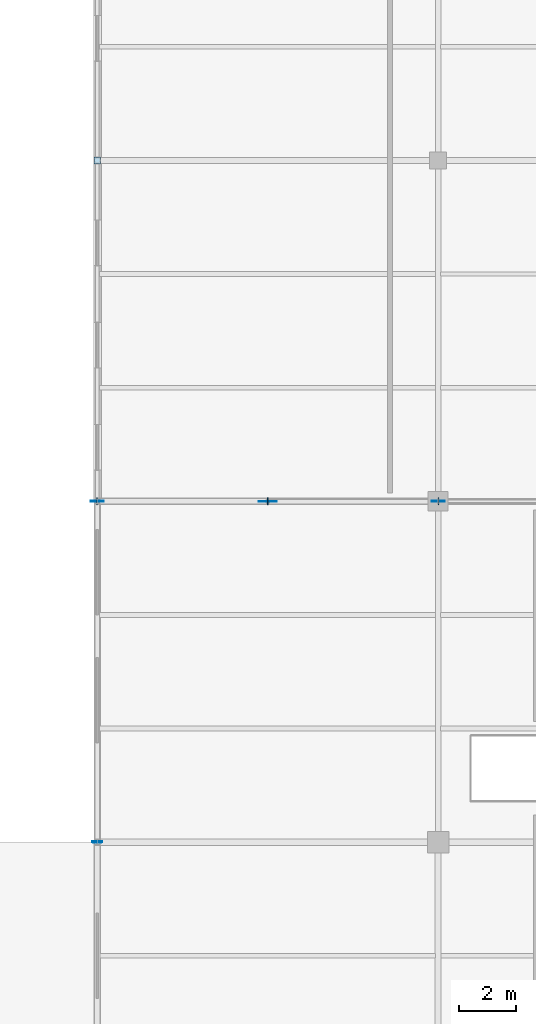
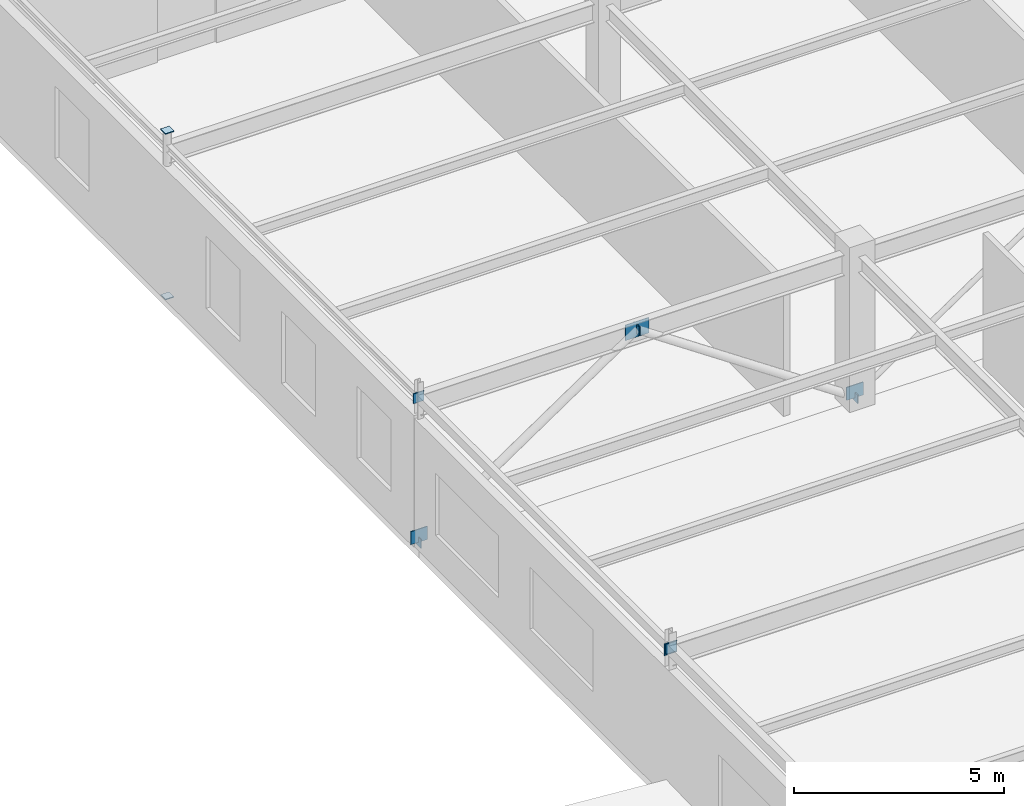
# One storey, part 132 of 199: 12 plates.
"""IFC4 building model written with IfcOpenShell, lengths in metres."""

from ifc_helpers import new_model, si_unit, direction, frame, origin, origin_2d, place, context, subcontext, project, spatial, rectangle, extrude, material, layer, layer_set, type_object, element, save


model = new_model("IFC4")

# Units and contexts
model_context = context("Model", 3, precision=1e-05, world=origin(), true_north=direction((0.0, 1.0)))
body_context = subcontext(model_context, "Body", "Model", "MODEL_VIEW")
ifc_project = project(units=[si_unit("LENGTHUNIT", "METRE"), si_unit("AREAUNIT", "SQUARE_METRE"), si_unit("VOLUMEUNIT", "CUBIC_METRE"), si_unit("PLANEANGLEUNIT", "RADIAN"), si_unit("MASSUNIT", "GRAM", prefix="KILO")], contexts=[model_context])

# Site, building, storey
site_placement = place(None, origin())
site = spatial("IfcSite", under=ifc_project, at=site_placement, CompositionType="ELEMENT")
building_placement = place(site_placement, origin())
building = spatial("IfcBuilding", under=site, at=building_placement, Name="Tarnwether General Hospital", CompositionType="ELEMENT")
storey_placement = place(building_placement, origin())
storey = spatial("IfcBuildingStorey", under=building, at=storey_placement, Name="L00", CompositionType="ELEMENT", Elevation=0.0)

# Plates
ifc_material_1 = material(Name="Steel Grade 350 (350 MPa)", Category="steel")
ifc_layer_1 = layer(ifc_material_1, 0.02001953125)
ifc_layer_set_1 = layer_set([ifc_layer_1], Name="Steel Grade 350 (350 MPa)")
plate_type_1 = type_object("IfcPlateType", Name="PT-GUS1", PredefinedType="USERDEFINED", material=ifc_layer_set_1)
plate_1_placement = place(storey_placement, frame((6.0, 45.60009765625, 3.97998046875), z_axis=(0.0, 0.0, 1.0), x_axis=(1.0, 0.0, 0.0)))
element("IfcPlate", 1, at=plate_1_placement, inside=storey, type_object=plate_type_1, Name="Chevron Brace Apex Gusset Plate 015", ObjectType="GUSSET", PredefinedType="USERDEFINED", context=body_context, shape_type="SweptSolid", body=[
    extrude(rectangle(XDim=0.64990234375, YDim=0.02001953125, at=origin_2d()), origin(), (0.0, 0.0, 1.0), 0.449951171875),
])
ifc_material_2 = material(Name="Steel Grade 350 (350 MPa)", Category="steel")
ifc_layer_2 = layer(ifc_material_2, 0.02490234375)
ifc_layer_set_2 = layer_set([ifc_layer_2], Name="Steel Grade 350 (350 MPa)")
plate_type_2 = type_object("IfcPlateType", Name="PT-GUS2", PredefinedType="USERDEFINED", material=ifc_layer_set_2)
for number, where, z_axis, x_axis, name in (
    (2, (0.0, 45.60009765625, 0.110107421875), (0.0, 0.0, 1.0), (1.0, 0.0, 0.0), "Brace Base Gusset Plate 013"),
    (3, (12.0, 45.60009765625, 0.110107421875), (0.0, 0.0, 1.0), (1.0, 0.0, 0.0), "Brace Base Gusset Plate 014"),
):
    element("IfcPlate", number, at=place(storey_placement, frame(where, z_axis=z_axis, x_axis=x_axis)), inside=storey, type_object=plate_type_2, Name=name, ObjectType="GUSSET", PredefinedType="USERDEFINED", context=body_context, shape_type="SweptSolid", body=[
        extrude(rectangle(XDim=0.4599609375, YDim=0.02490234375, at=origin_2d()), origin(), (0.0, 0.0, 1.0), 0.3798828125),
    ])
for number, where, z_axis, x_axis, name in (
    (4, (0.0, 57.60009765625, -0.02490234375), (0.0, 0.0, 1.0), (1.0, 0.0, 0.0), "Hollow Section Welded End Cap Plate 0007"),
    (5, (0.0, 57.60009765625, 4.800048828125), (0.0, 0.0, 1.0), (1.0, 0.0, 0.0), "Hollow Section Welded End Cap Plate 0008"),
):
    element("IfcPlate", number, at=place(storey_placement, frame(where, z_axis=z_axis, x_axis=x_axis)), inside=storey, type_object=plate_type_2, Name=name, ObjectType="GUSSET", PredefinedType="USERDEFINED", context=body_context, shape_type="SweptSolid", body=[
        extrude(rectangle(XDim=0.23388671875, YDim=0.23388671875, at=origin_2d()), origin(), (0.0, 0.0, 1.0), 0.02490234375),
    ])
plate_2_placement = place(storey_placement, frame((0.0, 33.612548828125, 4.125), z_axis=(0.0, 0.0, 1.0), x_axis=(0.0, 1.0, 0.0)))
element("IfcPlate", 6, at=plate_2_placement, inside=storey, type_object=plate_type_2, Name="Hollow Section Welded End Cap Plate 0858", ObjectType="GUSSET", PredefinedType="USERDEFINED", context=body_context, shape_type="SweptSolid", body=[
    extrude(rectangle(XDim=0.02490234375, YDim=0.340087890625, at=origin_2d()), origin(), (0.0, 0.0, 1.0), 0.340087890625),
])
for number, where, z_axis, x_axis, name in (
    (7, (0.0, 33.58740234375, 4.175048828125), (0.0, 0.0, 1.0), (0.0, 1.0, 0.0), "Hollow Section Welded End Cap Plate 0859"),
    (8, (0.0, 45.612548828125, 4.175048828125), (0.0, 0.0, 1.0), (0.0, 1.0, 0.0), "Hollow Section Welded End Cap Plate 0860"),
):
    element("IfcPlate", number, at=place(storey_placement, frame(where, z_axis=z_axis, x_axis=x_axis)), inside=storey, type_object=plate_type_2, Name=name, ObjectType="GUSSET", PredefinedType="USERDEFINED", context=body_context, shape_type="SweptSolid", body=[
        extrude(rectangle(XDim=0.02490234375, YDim=0.2900390625, at=origin_2d()), origin(), (0.0, 0.0, 1.0), 0.2900390625),
    ])
for number, where, z_axis, x_axis, name in (
    (9, (-0.01025390625, 45.60009765625, 0.00341796875), (0.0, 0.0, 1.0), (1.0, 0.0, 0.0), "Hollow Section Welded End Cap Plate 1191"),
    (10, (6.01025390625, 45.60009765625, 4.08251953125), (0.0, 0.0, 1.0), (1.0, 0.0, 0.0), "Hollow Section Welded End Cap Plate 1192"),
    (11, (12.01025390625, 45.60009765625, 0.00341796875), (0.0, 0.0, 1.0), (-1.0, 0.0, 0.0), "Hollow Section Welded End Cap Plate 1193"),
    (12, (5.98974609375, 45.60009765625, 4.08251953125), (0.0, 0.0, 1.0), (-1.0, 0.0, 0.0), "Hollow Section Welded End Cap Plate 1194"),
):
    element("IfcPlate", number, at=place(storey_placement, frame(where, z_axis=z_axis, x_axis=x_axis)), inside=storey, type_object=plate_type_2, Name=name, ObjectType="GUSSET", PredefinedType="USERDEFINED", context=body_context, shape_type="SweptSolid", body=[
        extrude(rectangle(XDim=0.02490234375, YDim=0.259033203125, at=origin_2d()), origin(), (0.0, 0.0, 1.0), 0.259033203125),
    ])

save(model, "model.ifc")
